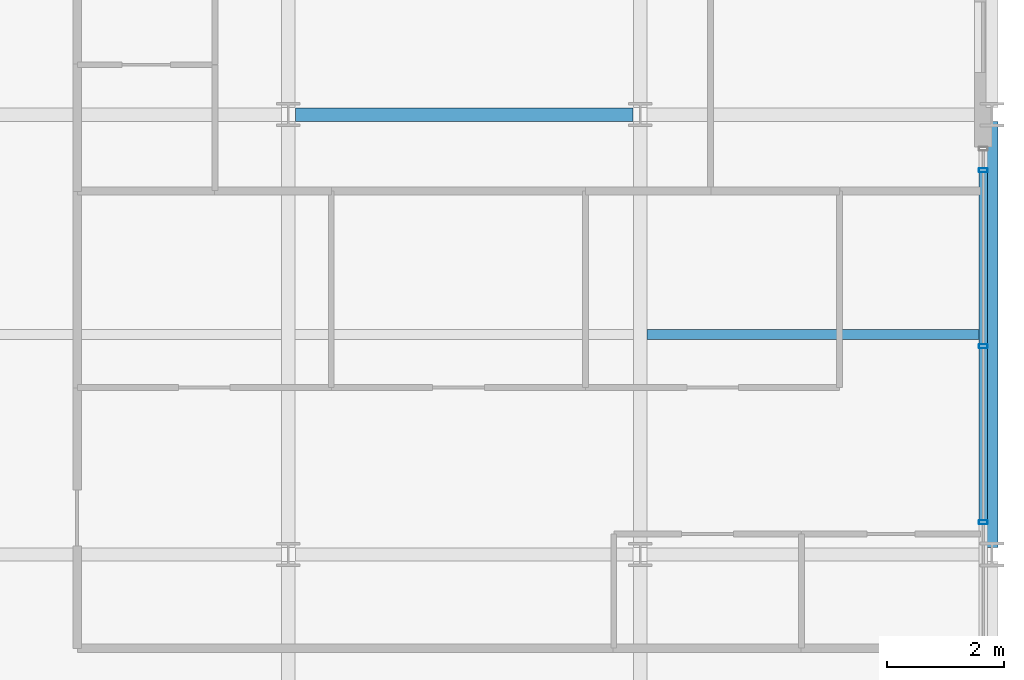
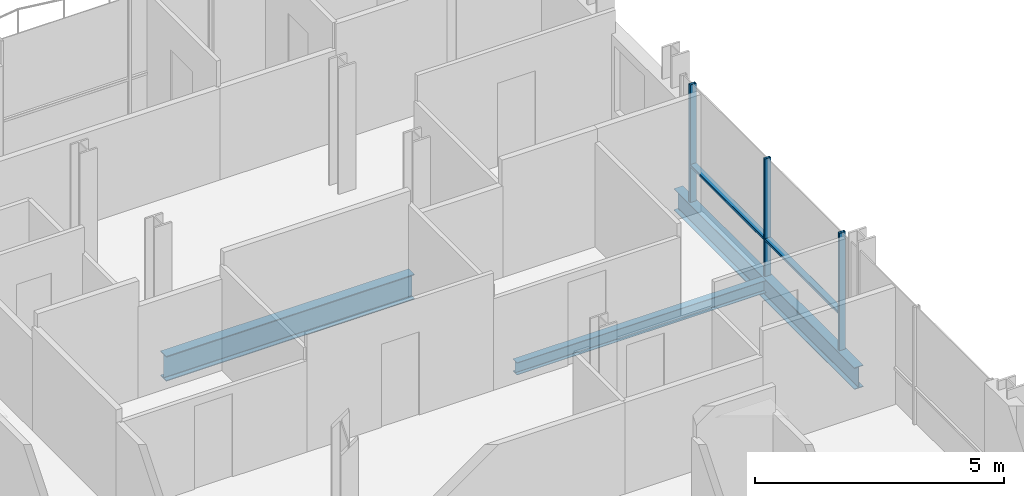
# One storey, part 21 of 41: 5 members, 3 beams, 1 element without a shape of its own.
"""IFC4 building model written with IfcOpenShell, lengths in metres."""

from ifc_helpers import new_model, si_unit, direction, frame, origin, origin_2d, place, context, subcontext, project, spatial, hollow_rectangle, i_section, extrude, material, layer, layer_set, material_profile, profile_set, type_object, element, aggregate, save


model = new_model("IFC4")

# Units and contexts
model_context = context("Model", 3, precision=1e-05, world=origin(), true_north=direction((0.0, 1.0)))
body_context = subcontext(model_context, "Body", "Model", "MODEL_VIEW")
ifc_project = project(units=[si_unit("LENGTHUNIT", "METRE"), si_unit("AREAUNIT", "SQUARE_METRE"), si_unit("VOLUMEUNIT", "CUBIC_METRE"), si_unit("PLANEANGLEUNIT", "RADIAN"), si_unit("MASSUNIT", "GRAM", prefix="KILO")], contexts=[model_context])

# Site, building, storey
site_placement = place(None, origin())
site = spatial("IfcSite", under=ifc_project, at=site_placement, CompositionType="ELEMENT")
building_placement = place(site_placement, origin())
building = spatial("IfcBuilding", under=site, at=building_placement, Name="Brevholm Reach", CompositionType="ELEMENT")
storey_placement = place(building_placement, frame((0.0, 0.0, 157.300048828125)))
storey = spatial("IfcBuildingStorey", under=building, at=storey_placement, Name="L47", CompositionType="ELEMENT", Elevation=157.300048828125)

# Beams
ifc_material_1 = material(Name="Structural Steel S355J2", Category="steel")
ifc_material_profile_1 = material_profile(ifc_material_1, i_section(OverallWidth=0.1650390625, OverallDepth=0.303466796875, WebThickness=0.006103515625, FlangeThickness=0.01025390625, FilletRadius=0.0087890625, at=origin_2d()), Name="UKB 305x165x40")
ifc_profile_set_1 = profile_set([ifc_material_profile_1], Name="Structural Steel S355J2")
beam_type_1 = type_object("IfcBeamType", Name="BM-B305", PredefinedType="BEAM", material=ifc_profile_set_1)
beam_1_placement = place(storey_placement, frame((54.114501953125, 19.75, -0.371826171875), z_axis=(1.0, 0.0, 0.0), x_axis=(0.0, 1.0, 0.0)))
element("IfcBeam", 1, at=beam_1_placement, inside=storey, type_object=beam_type_1, Name="L47 Composite Secondary Floor Beam", PredefinedType="BEAM", context=body_context, shape_type="SweptSolid", body=[
    extrude(i_section(OverallWidth=0.1650390625, OverallDepth=0.303466796875, WebThickness=0.006103515625, FlangeThickness=0.01025390625, FilletRadius=0.0087890625, at=origin_2d()), origin(), (0.0, 0.0, 1.0), 5.78076171875),
])
ifc_material_2 = material(Name="Structural Steel S355J2", Category="steel")
ifc_material_profile_2 = material_profile(ifc_material_2, i_section(OverallWidth=0.209228515625, OverallDepth=0.533203125, WebThickness=0.010009765625, FlangeThickness=0.015625, FilletRadius=0.0126953125, at=origin_2d()), Name="UKB 533x210x92")
ifc_profile_set_2 = profile_set([ifc_material_profile_2], Name="Structural Steel S355J2")
beam_type_2 = type_object("IfcBeamType", Name="BM-SP533", PredefinedType="SPANDREL", material=ifc_profile_set_2)
beam_2_placement = place(storey_placement, frame((60.0, 16.1201171875, -0.486572265625), z_axis=(0.0, 1.0, 0.0), x_axis=(-1.0, 0.0, 0.0)))
element("IfcBeam", 2, at=beam_2_placement, inside=storey, type_object=beam_type_2, Name="L47 SP-02 Framing Beam", PredefinedType="SPANDREL", context=body_context, shape_type="SweptSolid", body=[
    extrude(i_section(OverallWidth=0.209228515625, OverallDepth=0.533203125, WebThickness=0.010009765625, FlangeThickness=0.015625, FilletRadius=0.0126953125, at=origin_2d()), origin(), (0.0, 0.0, 1.0), 7.259765625),
])
ifc_material_3 = material(Name="Structural Steel S355J2", Category="steel")
ifc_material_profile_3 = material_profile(ifc_material_3, i_section(OverallWidth=0.22900390625, OverallDepth=0.6123046875, WebThickness=0.011962890625, FlangeThickness=0.01953125, FilletRadius=0.0126953125, at=origin_2d()), Name="UKB 610x229x125")
ifc_profile_set_3 = profile_set([ifc_material_profile_3], Name="Structural Steel S355J2")
beam_type_3 = type_object("IfcBeamType", Name="BM-SP610", PredefinedType="SPANDREL", material=ifc_profile_set_3)
beam_3_placement = place(storey_placement, frame((48.1201171875, 23.5, -0.526123046875), z_axis=(1.0, 0.0, 0.0), x_axis=(0.0, 1.0, 0.0)))
element("IfcBeam", 3, at=beam_3_placement, inside=storey, type_object=beam_type_3, Name="L47 SP-01 Framing Beam", PredefinedType="SPANDREL", context=body_context, shape_type="SweptSolid", body=[
    extrude(i_section(OverallWidth=0.22900390625, OverallDepth=0.6123046875, WebThickness=0.011962890625, FlangeThickness=0.01953125, FilletRadius=0.0126953125, at=origin_2d()), origin(), (0.0, 0.0, 1.0), 5.759765625),
])

# Curtain wall, members
ifc_material_4 = material(Name="Dark Anodised Aluminium 6063-T6 and Solar-Control Glass", Category="aluminium")
ifc_layer = layer(ifc_material_4, 0.14990234375)
ifc_layer_set = layer_set([ifc_layer], Name="Dark Anodised Aluminium 6063-T6 and Solar-Control Glass")
curtain_wall_type = type_object("IfcCurtainWallType", Name="CW-01", PredefinedType="NOTDEFINED", material=ifc_layer_set)
curtain_wall_placement = place(storey_placement, origin())
curtain_wall = element("IfcCurtainWall", 4, at=curtain_wall_placement, inside=storey, type_object=curtain_wall_type, Name="L47 Curtain Wall CW-01", PredefinedType="NOTDEFINED")
ifc_material_5 = material(Name="Dark Anodised Aluminium 6063-T6", Category="aluminium")
ifc_material_profile_4 = material_profile(ifc_material_5, hollow_rectangle(XDim=0.06494140625, YDim=0.14990234375, WallThickness=0.0048828125, InnerFilletRadius=0.0048828125, OuterFilletRadius=0.010009765625, at=origin_2d()), Name="RHS 150x65x5")
ifc_profile_set_4 = profile_set([ifc_material_profile_4], Name="Dark Anodised Aluminium 6063-T6")
member_type_1 = type_object("IfcMemberType", Name="CWM-150", PredefinedType="MULLION", material=ifc_profile_set_4)
member_1_placement = place(storey_placement, frame((59.85009765625, 16.550048828125, 0.0), z_axis=(0.0, 0.0, 1.0), x_axis=(0.0, 1.0, 0.0)))
member_1 = element("IfcMember", 5, at=member_1_placement, type_object=member_type_1, Name="CM-150 Mullion 3", PredefinedType="MULLION", context=body_context, shape_type="SweptSolid", body=[
    extrude(hollow_rectangle(XDim=0.06494140625, YDim=0.14990234375, WallThickness=0.0048828125, InnerFilletRadius=0.0048828125, OuterFilletRadius=0.010009765625, at=origin_2d()), origin(), (0.0, 0.0, 1.0), 2.8798828125),
])
member_2_placement = place(storey_placement, frame((59.85009765625, 19.550048828125, 0.0), z_axis=(0.0, 0.0, 1.0), x_axis=(0.0, 1.0, 0.0)))
member_2 = element("IfcMember", 6, at=member_2_placement, type_object=member_type_1, Name="CM-150 Mullion 4", PredefinedType="MULLION", context=body_context, shape_type="SweptSolid", body=[
    extrude(hollow_rectangle(XDim=0.06494140625, YDim=0.14990234375, WallThickness=0.0048828125, InnerFilletRadius=0.0048828125, OuterFilletRadius=0.010009765625, at=origin_2d()), origin(), (0.0, 0.0, 1.0), 2.8798828125),
])
member_3_placement = place(storey_placement, frame((59.85009765625, 22.550048828125, 0.0), z_axis=(0.0, 0.0, 1.0), x_axis=(0.0, 1.0, 0.0)))
member_3 = element("IfcMember", 7, at=member_3_placement, type_object=member_type_1, Name="CM-150 Mullion 5", PredefinedType="MULLION", context=body_context, shape_type="SweptSolid", body=[
    extrude(hollow_rectangle(XDim=0.06494140625, YDim=0.14990234375, WallThickness=0.0048828125, InnerFilletRadius=0.0048828125, OuterFilletRadius=0.010009765625, at=origin_2d()), origin(), (0.0, 0.0, 1.0), 2.8798828125),
])
ifc_material_6 = material(Name="Dark Anodised Aluminium 6063-T6", Category="aluminium")
ifc_material_profile_5 = material_profile(ifc_material_6, hollow_rectangle(XDim=0.06494140625, YDim=0.14990234375, WallThickness=0.0048828125, InnerFilletRadius=0.0048828125, OuterFilletRadius=0.010009765625, at=origin_2d()), Name="RHS 150x65x5")
ifc_profile_set_5 = profile_set([ifc_material_profile_5], Name="Dark Anodised Aluminium 6063-T6")
member_type_2 = type_object("IfcMemberType", Name="CWT-150", PredefinedType="NOTDEFINED", material=ifc_profile_set_5)
member_4_placement = place(storey_placement, frame((59.85009765625, 16.58251953125, 0.89990234375), z_axis=(0.0, 1.0, 0.0), x_axis=(0.0, 0.0, 1.0)))
member_4 = element("IfcMember", 8, at=member_4_placement, type_object=member_type_2, Name="CT-150 Transom 3.1", ObjectType="TRANSOM", PredefinedType="USERDEFINED", context=body_context, shape_type="SweptSolid", body=[
    extrude(hollow_rectangle(XDim=0.06494140625, YDim=0.14990234375, WallThickness=0.0048828125, InnerFilletRadius=0.0048828125, OuterFilletRadius=0.010009765625, at=origin_2d()), origin(), (0.0, 0.0, 1.0), 2.93505859375),
])
member_5_placement = place(storey_placement, frame((59.85009765625, 19.58251953125, 0.89990234375), z_axis=(0.0, 1.0, 0.0), x_axis=(0.0, 0.0, 1.0)))
member_5 = element("IfcMember", 9, at=member_5_placement, type_object=member_type_2, Name="CT-150 Transom 4.1", ObjectType="TRANSOM", PredefinedType="USERDEFINED", context=body_context, shape_type="SweptSolid", body=[
    extrude(hollow_rectangle(XDim=0.06494140625, YDim=0.14990234375, WallThickness=0.0048828125, InnerFilletRadius=0.0048828125, OuterFilletRadius=0.010009765625, at=origin_2d()), origin(), (0.0, 0.0, 1.0), 2.93505859375),
])
aggregate(curtain_wall, [member_1, member_2, member_3, member_4, member_5])

save(model, "model.ifc")
